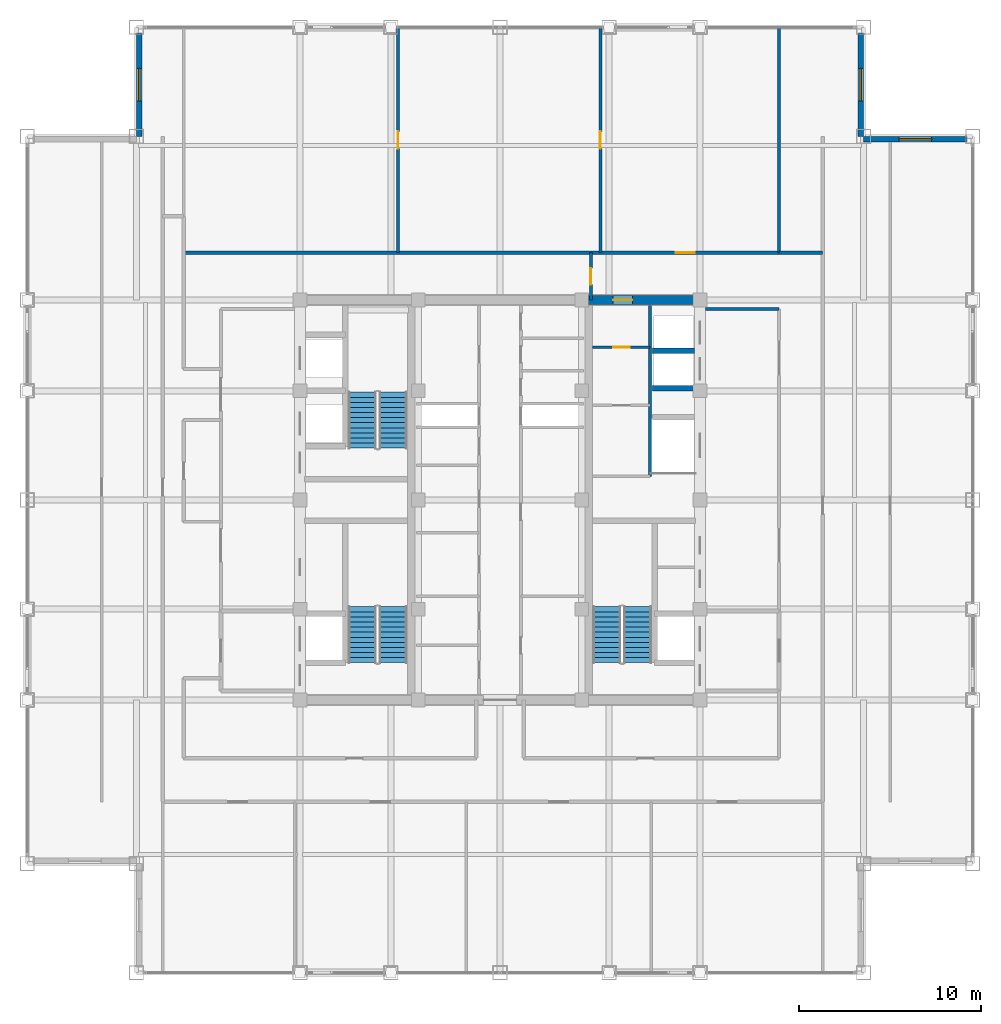
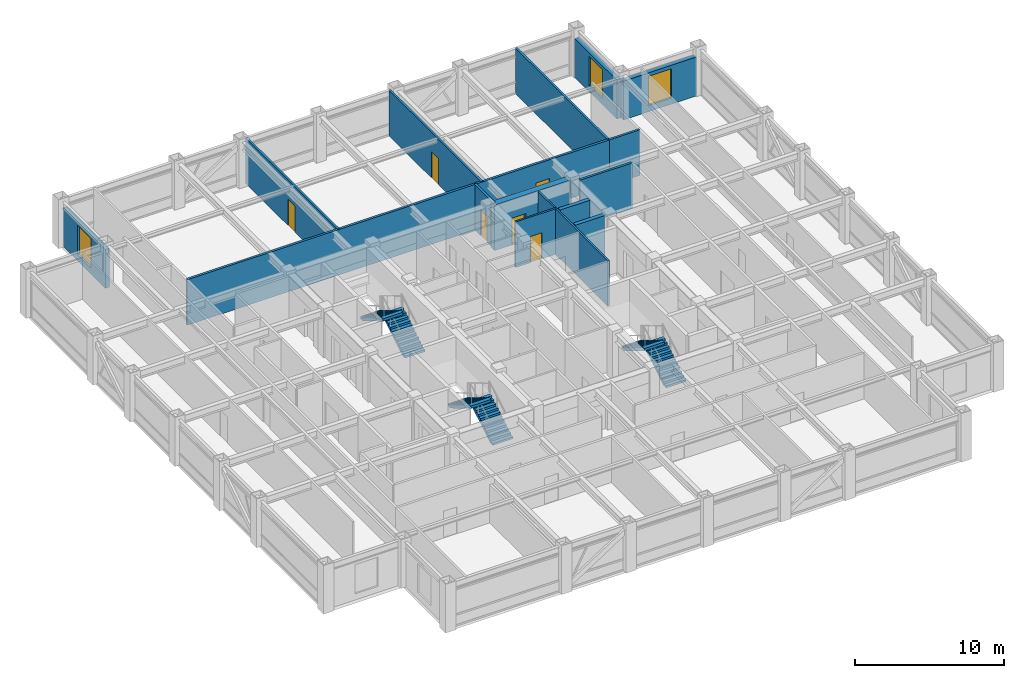
# One storey, part 27 of 28: 15 walls, 6 doors, 6 stair flights, 3 windows, 9 openings, 3 elements without a shape of their own.
"""IFC4 building model written with IfcOpenShell, lengths in metres."""

from ifc_helpers import new_model, si_unit, direction, frame, frame_2d, origin, place, context, subcontext, project, spatial, polyline, rectangle, outline, extrude, source, transform, mapped, material, layer, layer_set, type_object, element, fill, aggregate, save


model = new_model("IFC4")

# Units and contexts
model_context = context("Model", 3, precision=1e-05, world=origin(), true_north=direction((0.0, 1.0)))
body_context = subcontext(model_context, "Body", "Model", "MODEL_VIEW")
ifc_project = project(units=[si_unit("LENGTHUNIT", "METRE"), si_unit("AREAUNIT", "SQUARE_METRE"), si_unit("VOLUMEUNIT", "CUBIC_METRE"), si_unit("PLANEANGLEUNIT", "RADIAN"), si_unit("MASSUNIT", "GRAM", prefix="KILO")], contexts=[model_context])

# Site, building, storey
site_placement = place(None, origin())
site = spatial("IfcSite", under=ifc_project, at=site_placement, CompositionType="ELEMENT")
building_placement = place(site_placement, origin())
building = spatial("IfcBuilding", under=site, at=building_placement, Name="Khorayat Bourse Tower", CompositionType="ELEMENT")
storey_placement = place(building_placement, frame((0.0, 0.0, 338.300048828125)))
storey = spatial("IfcBuildingStorey", under=building, at=storey_placement, Name="L80", CompositionType="ELEMENT", Elevation=338.300048828125)

# Wall, opening, door
ifc_material_1 = material(Name="Concrete C52/65", Category="concrete")
ifc_layer_1 = layer(ifc_material_1, 0.5)
ifc_layer_set_1 = layer_set([ifc_layer_1], Name="Concrete C52/65")
wall_type_1 = type_object("IfcWallType", Name="WAL-CORE-500", PredefinedType="SHEAR", material=ifc_layer_set_1)
shared_shape_1 = source(origin(), body_context, "Body", "SweptSolid", [
    extrude(rectangle(XDim=5.89990234375, YDim=0.5, at=frame_2d((2.949951171875, 0.0))), origin(), (0.0, 0.0, 1.0), 3.739990234375),
])
wall_1_placement = place(storey_placement, frame((4.85009765625, 11.0, 0.0), z_axis=(0.0, 0.0, 1.0), x_axis=(1.0, 0.0, 0.0)))
wall_1 = element("IfcWall", 1, at=wall_1_placement, inside=storey, type_object=wall_type_1, Name="L80 Core Shear Wall PIER-EN", PredefinedType="SHEAR", context=body_context, shape_type="MappedRepresentation", body=[
    mapped(shared_shape_1, transform((0.0, 0.0, 0.0), scale=1.0)),
])
shared_shape_2 = source(origin(), body_context, "Body", "SweptSolid", [
    extrude(rectangle(XDim=1.050048828125, YDim=2.199951171875, at=frame_2d((0.52490234375, 1.10009765625))), frame((0.0, 0.260009765625, 0.0), z_axis=(0.0, -1.0, 0.0), x_axis=(1.0, 0.0, 0.0)), (0.0, 0.0, 1.0), 0.52001953125),
])
opening_1_placement = place(wall_1_placement, frame((1.375, 0.0, 0.0)))
opening_1 = element("IfcOpeningElement", 2, at=opening_1_placement, cuts=wall_1, Name="Opening DI-04", PredefinedType="OPENING", context=body_context, shape_type="MappedRepresentation", body=[
    mapped(shared_shape_2, transform((0.0, 0.0, 0.0), scale=1.0)),
])
ifc_material_2 = material(Name="Fire-rated oak veneer suite entrance door")
door_type_1 = type_object("IfcDoorType", Name="DR-INT-SUITE-1050", OperationType="NOTDEFINED", PredefinedType="DOOR", material=ifc_material_2)
shared_shape_3 = source(origin(), body_context, "Body", "SweptSolid", [
    extrude(rectangle(XDim=1.050048828125, YDim=2.199951171875, at=frame_2d((0.52490234375, 1.10009765625))), frame((0.0, 0.02490234375, 0.0), z_axis=(0.0, -1.0, 0.0), x_axis=(1.0, 0.0, 0.0)), (0.0, 0.0, 1.0), 0.050048828125),
])
door_1_placement = place(opening_1_placement, origin())
door_1 = element("IfcDoor", 3, at=door_1_placement, inside=storey, type_object=door_type_1, Name="L80 Core Washroom Lobby Door", OperationType="SINGLE_SWING_LEFT", OverallHeight=2.199951171875, OverallWidth=1.050048828125, PredefinedType="DOOR", context=body_context, shape_type="MappedRepresentation", body=[
    mapped(shared_shape_3, transform((0.0, 0.0, 0.0), scale=1.0)),
])
fill(opening_1, door_1)

# Wall, opening, window
ifc_material_3 = material(Name="Precast concrete C45/55", Category="concrete")
ifc_layer_2 = layer(ifc_material_3, 0.320068359375)
ifc_layer_set_2 = layer_set([ifc_layer_2], Name="Precast concrete C45/55")
wall_type_2 = type_object("IfcWallType", Name="WAL-EXT-STONE-320", PredefinedType="STANDARD", material=ifc_layer_set_2)
shared_shape_4 = source(origin(), body_context, "Body", "SweptSolid", [
    extrude(rectangle(XDim=5.679931640625, YDim=0.320068359375, at=frame_2d((2.83984375, 0.0))), origin(), (0.0, 0.0, 1.0), 3.19091796875),
])
wall_2_placement = place(storey_placement, frame((20.0, 19.840087890625, 0.0), z_axis=(0.0, 0.0, 1.0), x_axis=(1.0, 0.0, 0.0)))
wall_2 = element("IfcWall", 4, at=wall_2_placement, inside=storey, type_object=wall_type_2, Name="L80 Re-Entrant Notch Limestone Wall NE-H", PredefinedType="STANDARD", context=body_context, shape_type="MappedRepresentation", body=[
    mapped(shared_shape_4, transform((0.0, 0.0, 0.0), scale=1.0)),
])
shared_shape_5 = source(origin(), body_context, "Body", "SweptSolid", [
    extrude(rectangle(XDim=1.800048828125, YDim=2.39990234375, at=frame_2d((0.89990234375, 1.199951171875))), frame((0.0, 0.169921875, 0.0), z_axis=(0.0, -1.0, 0.0), x_axis=(1.0, 0.0, 0.0)), (0.0, 0.0, 1.0), 0.340087890625),
])
opening_2_placement = place(wall_2_placement, frame((1.93994140625, 0.0, 0.5)))
opening_2 = element("IfcOpeningElement", 5, at=opening_2_placement, cuts=wall_2, Name="Opening WN-04", PredefinedType="OPENING", context=body_context, shape_type="MappedRepresentation", body=[
    mapped(shared_shape_5, transform((0.0, 0.0, 0.0), scale=1.0)),
])
ifc_material_4 = material(Name="Low-E acoustic laminated double glazing", Category="glass")
window_type = type_object("IfcWindowType", Name="WIN-NOTCH-1800x2400", PartitioningType="SINGLE_PANEL", PredefinedType="WINDOW", material=ifc_material_4)
shared_shape_6 = source(origin(), body_context, "Body", "SweptSolid", [
    extrude(rectangle(XDim=1.800048828125, YDim=2.39990234375, at=frame_2d((0.89990234375, 1.199951171875))), frame((0.0, 0.030029296875, 0.0), z_axis=(0.0, -1.0, 0.0), x_axis=(1.0, 0.0, 0.0)), (0.0, 0.0, 1.0), 0.06005859375),
])
window_1_placement = place(opening_2_placement, origin())
window_1 = element("IfcWindow", 6, at=window_1_placement, inside=storey, type_object=window_type, Name="L80 Facade Window 1", OverallHeight=2.39990234375, OverallWidth=1.800048828125, PartitioningType="SINGLE_PANEL", PredefinedType="WINDOW", context=body_context, shape_type="MappedRepresentation", body=[
    mapped(shared_shape_6, transform((0.0, 0.0, 0.0), scale=1.0)),
])
fill(opening_2, window_1)

wall_3_placement = place(storey_placement, frame((19.840087890625, 20.0, 0.0), z_axis=(0.0, 0.0, 1.0), x_axis=(0.0, 1.0, 0.0)))
wall_3 = element("IfcWall", 7, at=wall_3_placement, inside=storey, type_object=wall_type_2, Name="L80 Re-Entrant Notch Limestone Wall NE-V", PredefinedType="STANDARD", context=body_context, shape_type="MappedRepresentation", body=[
    mapped(shared_shape_4, transform((0.0, 0.0, 0.0), scale=1.0)),
])
opening_3_placement = place(wall_3_placement, frame((1.93994140625, 0.0, 0.5)))
opening_3 = element("IfcOpeningElement", 8, at=opening_3_placement, cuts=wall_3, Name="Opening WN-04", PredefinedType="OPENING", context=body_context, shape_type="MappedRepresentation", body=[
    mapped(shared_shape_5, transform((0.0, 0.0, 0.0), scale=1.0)),
])
window_2_placement = place(opening_3_placement, origin())
window_2 = element("IfcWindow", 9, at=window_2_placement, inside=storey, type_object=window_type, Name="L80 Facade Window 1", OverallHeight=2.39990234375, OverallWidth=1.800048828125, PartitioningType="SINGLE_PANEL", PredefinedType="WINDOW", context=body_context, shape_type="MappedRepresentation", body=[
    mapped(shared_shape_6, transform((0.0, 0.0, 0.0), scale=1.0)),
])
fill(opening_3, window_2)

wall_4_placement = place(storey_placement, frame((-19.840087890625, 20.0, 0.0), z_axis=(0.0, 0.0, 1.0), x_axis=(0.0, 1.0, 0.0)))
wall_4 = element("IfcWall", 10, at=wall_4_placement, inside=storey, type_object=wall_type_2, Name="L80 Re-Entrant Notch Limestone Wall NW-V", PredefinedType="STANDARD", context=body_context, shape_type="MappedRepresentation", body=[
    mapped(shared_shape_4, transform((0.0, 0.0, 0.0), scale=1.0)),
])
opening_4_placement = place(wall_4_placement, frame((1.93994140625, 0.0, 0.5)))
opening_4 = element("IfcOpeningElement", 11, at=opening_4_placement, cuts=wall_4, Name="Opening WN-04", PredefinedType="OPENING", context=body_context, shape_type="MappedRepresentation", body=[
    mapped(shared_shape_5, transform((0.0, 0.0, 0.0), scale=1.0)),
])
window_3_placement = place(opening_4_placement, origin())
window_3 = element("IfcWindow", 12, at=window_3_placement, inside=storey, type_object=window_type, Name="L80 Facade Window 1", OverallHeight=2.39990234375, OverallWidth=1.800048828125, PartitioningType="SINGLE_PANEL", PredefinedType="WINDOW", context=body_context, shape_type="MappedRepresentation", body=[
    mapped(shared_shape_6, transform((0.0, 0.0, 0.0), scale=1.0)),
])
fill(opening_4, window_3)

# Walls
ifc_material_5 = material(Name="Concrete C50/60", Category="concrete")
ifc_layer_3 = layer(ifc_material_5, 0.300048828125)
ifc_layer_set_3 = layer_set([ifc_layer_3], Name="Concrete C50/60")
wall_type_3 = type_object("IfcWallType", Name="WAL-SHAFT-300", PredefinedType="SHEAR", material=ifc_layer_set_3)
shared_shape_7 = source(origin(), body_context, "Body", "SweptSolid", [
    extrude(rectangle(XDim=2.300048828125, YDim=0.300048828125, at=frame_2d((1.14990234375, 0.0))), origin(), (0.0, 0.0, 1.0), 3.739990234375),
])
for number, where, z_axis, x_axis, name in (
    (13, (8.39990234375, 6.14990234375, 0.0), (0.0, 0.0, 1.0), (1.0, 0.0, 0.0), "L80 Partition WAL-L80-EPIER-H3S"),
    (14, (8.39990234375, 8.199951171875, 0.0), (0.0, 0.0, 1.0), (1.0, 0.0, 0.0), "L80 Partition WAL-L80-EPIER-H34"),
):
    element("IfcWall", number, at=place(storey_placement, frame(where, z_axis=z_axis, x_axis=x_axis)), inside=storey, type_object=wall_type_3, Name=name, PredefinedType="SHEAR", context=body_context, shape_type="MappedRepresentation", body=[
        mapped(shared_shape_7, transform((0.0, 0.0, 0.0), scale=1.0)),
    ])
ifc_material_6 = material(Name="Moisture-resistant masonry partition", Category="masonry")
ifc_layer_4 = layer(ifc_material_6, 0.139892578125)
ifc_layer_set_4 = layer_set([ifc_layer_4], Name="Moisture-resistant masonry partition")
wall_type_4 = type_object("IfcWallType", Name="WAL-PART-WET-140", PredefinedType="PARTITIONING", material=ifc_layer_set_4)
shared_shape_8 = source(origin(), body_context, "Body", "SweptSolid", [
    extrude(rectangle(XDim=9.39990234375, YDim=0.139892578125, at=frame_2d((4.699951171875, 0.0))), origin(), (0.0, 0.0, 1.0), 3.739990234375),
])
wall_5_placement = place(storey_placement, frame((8.25, 1.300048828125, 0.0), z_axis=(0.0, 0.0, 1.0), x_axis=(0.0, 1.0, 0.0)))
element("IfcWall", 15, at=wall_5_placement, inside=storey, type_object=wall_type_4, Name="L80 Partition WAL-L80-ECORE-E", PredefinedType="PARTITIONING", context=body_context, shape_type="MappedRepresentation", body=[
    mapped(shared_shape_8, transform((0.0, 0.0, 0.0), scale=1.0)),
])

# Wall, opening, door
shared_shape_9 = source(origin(), body_context, "Body", "SweptSolid", [
    extrude(rectangle(XDim=3.14990234375, YDim=0.139892578125, at=frame_2d((1.574951171875, 0.0))), origin(), (0.0, 0.0, 1.0), 3.739990234375),
])
wall_6_placement = place(storey_placement, frame((5.10009765625, 8.39990234375, 0.0), z_axis=(0.0, 0.0, 1.0), x_axis=(1.0, 0.0, 0.0)))
wall_6 = element("IfcWall", 16, at=wall_6_placement, inside=storey, type_object=wall_type_4, Name="L80 Partition WAL-L80-ECW-TOP", PredefinedType="PARTITIONING", context=body_context, shape_type="MappedRepresentation", body=[
    mapped(shared_shape_9, transform((0.0, 0.0, 0.0), scale=1.0)),
])
shared_shape_10 = source(origin(), body_context, "Body", "SweptSolid", [
    extrude(rectangle(XDim=0.89990234375, YDim=2.14990234375, at=frame_2d((0.449951171875, 1.074951171875))), frame((0.0, 0.079833984375, 0.0), z_axis=(0.0, -1.0, 0.0), x_axis=(1.0, 0.0, 0.0)), (0.0, 0.0, 1.0), 0.159912109375),
])
opening_5_placement = place(wall_6_placement, frame((1.1298828125, 0.0, 0.0)))
opening_5 = element("IfcOpeningElement", 17, at=opening_5_placement, cuts=wall_6, Name="Opening DI-06", PredefinedType="OPENING", context=body_context, shape_type="MappedRepresentation", body=[
    mapped(shared_shape_10, transform((0.0, 0.0, 0.0), scale=1.0)),
])
ifc_material_7 = material(Name="Moisture-resistant laminate washroom door")
door_type_2 = type_object("IfcDoorType", Name="DR-INT-WC-900", OperationType="NOTDEFINED", PredefinedType="DOOR", material=ifc_material_7)
shared_shape_11 = source(origin(), body_context, "Body", "SweptSolid", [
    extrude(rectangle(XDim=0.89990234375, YDim=2.14990234375, at=frame_2d((0.449951171875, 1.074951171875))), frame((0.0, 0.02490234375, 0.0), z_axis=(0.0, -1.0, 0.0), x_axis=(1.0, 0.0, 0.0)), (0.0, 0.0, 1.0), 0.050048828125),
])
door_2_placement = place(opening_5_placement, origin())
door_2 = element("IfcDoor", 18, at=door_2_placement, inside=storey, type_object=door_type_2, Name="L80 Accessible WC Door", OperationType="SINGLE_SWING_LEFT", OverallHeight=2.14990234375, OverallWidth=0.89990234375, PredefinedType="DOOR", context=body_context, shape_type="MappedRepresentation", body=[
    mapped(shared_shape_11, transform((0.0, 0.0, 0.0), scale=1.0)),
])
fill(opening_5, door_2)

# Wall
ifc_material_8 = material(Name="Gypsum plasterboard acoustic stud wall")
ifc_layer_5 = layer(ifc_material_8, 0.179931640625)
ifc_layer_set_5 = layer_set([ifc_layer_5], Name="Gypsum plasterboard acoustic stud wall")
wall_type_5 = type_object("IfcWallType", Name="WAL-PART-CORR-180", PredefinedType="PARTITIONING", material=ifc_layer_set_5)
shared_shape_12 = source(origin(), body_context, "Body", "SweptSolid", [
    extrude(rectangle(XDim=4.050048828125, YDim=0.179931640625, at=frame_2d((2.02490234375, 0.0))), origin(), (0.0, 0.0, 1.0), 3.739990234375),
])
wall_7_placement = place(storey_placement, frame((11.300048828125, 10.5, 0.0), z_axis=(0.0, 0.0, 1.0), x_axis=(1.0, 0.0, 0.0)))
element("IfcWall", 19, at=wall_7_placement, inside=storey, type_object=wall_type_5, Name="L80 Partition WAL-L80-ELOB-N", PredefinedType="PARTITIONING", context=body_context, shape_type="MappedRepresentation", body=[
    mapped(shared_shape_12, transform((0.0, 0.0, 0.0), scale=1.0)),
])

# Wall, opening, door
shared_shape_13 = source(origin(), body_context, "Body", "SweptSolid", [
    extrude(rectangle(XDim=2.60009765625, YDim=0.179931640625, at=frame_2d((1.300048828125, 0.0))), origin(), (0.0, 0.0, 1.0), 3.739990234375),
])
wall_8_placement = place(storey_placement, frame((5.0, 11.0, 0.0), z_axis=(0.0, 0.0, 1.0), x_axis=(0.0, 1.0, 0.0)))
wall_8 = element("IfcWall", 20, at=wall_8_placement, inside=storey, type_object=wall_type_5, Name="L80 Partition WAL-L80-CORRNE-W", PredefinedType="PARTITIONING", context=body_context, shape_type="MappedRepresentation", body=[
    mapped(shared_shape_13, transform((0.0, 0.0, 0.0), scale=1.0)),
])
shared_shape_14 = source(origin(), body_context, "Body", "SweptSolid", [
    extrude(rectangle(XDim=0.89990234375, YDim=2.14990234375, at=frame_2d((0.449951171875, 1.074951171875))), frame((0.0, 0.099853515625, 0.0), z_axis=(0.0, -1.0, 0.0), x_axis=(1.0, 0.0, 0.0)), (0.0, 0.0, 1.0), 0.199951171875),
])
opening_6_placement = place(wall_8_placement, frame((0.85009765625, 0.0, 0.0)))
opening_6 = element("IfcOpeningElement", 21, at=opening_6_placement, cuts=wall_8, Name="Opening DI-06", PredefinedType="OPENING", context=body_context, shape_type="MappedRepresentation", body=[
    mapped(shared_shape_14, transform((0.0, 0.0, 0.0), scale=1.0)),
])
door_3_placement = place(opening_6_placement, origin())
door_3 = element("IfcDoor", 22, at=door_3_placement, inside=storey, type_object=door_type_2, Name="L80 North Core Pantry Door", OperationType="SINGLE_SWING_LEFT", OverallHeight=2.14990234375, OverallWidth=0.89990234375, PredefinedType="DOOR", context=body_context, shape_type="MappedRepresentation", body=[
    mapped(shared_shape_11, transform((0.0, 0.0, 0.0), scale=1.0)),
])
fill(opening_6, door_3)

# Wall
shared_shape_15 = source(origin(), body_context, "Body", "SweptSolid", [
    extrude(rectangle(XDim=2.39990234375, YDim=0.179931640625, at=frame_2d((1.199951171875, 0.0))), origin(), (0.0, 0.0, 1.0), 3.739990234375),
])
wall_9_placement = place(storey_placement, frame((15.35009765625, 13.60009765625, 0.0), z_axis=(0.0, 0.0, 1.0), x_axis=(1.0, 0.0, 0.0)))
element("IfcWall", 23, at=wall_9_placement, inside=storey, type_object=wall_type_5, Name="L80 Partition WAL-L80-GALE-N", PredefinedType="PARTITIONING", context=body_context, shape_type="MappedRepresentation", body=[
    mapped(shared_shape_15, transform((0.0, 0.0, 0.0), scale=1.0)),
])

# Wall, opening, door
ifc_material_9 = material(Name="Gypsum plasterboard twin-frame partition")
ifc_layer_6 = layer(ifc_material_9, 0.14990234375)
ifc_layer_set_6 = layer_set([ifc_layer_6], Name="Gypsum plasterboard twin-frame partition")
wall_type_6 = type_object("IfcWallType", Name="WAL-PART-SUITE-150", PredefinedType="PARTITIONING", material=ifc_layer_set_6)
shared_shape_16 = source(origin(), body_context, "Body", "SweptSolid", [
    extrude(rectangle(XDim=12.39990234375, YDim=0.14990234375, at=frame_2d((6.199951171875, 0.0))), origin(), (0.0, 0.0, 1.0), 3.739990234375),
])
wall_10_placement = place(storey_placement, frame((-5.610107421875, 13.60009765625, 0.0), z_axis=(0.0, 0.0, 1.0), x_axis=(0.0, 1.0, 0.0)))
wall_10 = element("IfcWall", 24, at=wall_10_placement, inside=storey, type_object=wall_type_6, Name="L80 Partition WAL-L80-NDV-1", PredefinedType="PARTITIONING", context=body_context, shape_type="MappedRepresentation", body=[
    mapped(shared_shape_16, transform((0.0, 0.0, 0.0), scale=1.0)),
])
shared_shape_17 = source(origin(), body_context, "Body", "SweptSolid", [
    extrude(rectangle(XDim=0.949951171875, YDim=2.14990234375, at=frame_2d((0.47509765625, 1.074951171875))), frame((0.0, 0.0849609375, 0.0), z_axis=(0.0, -1.0, 0.0), x_axis=(1.0, 0.0, 0.0)), (0.0, 0.0, 1.0), 0.169921875),
])
opening_7_placement = place(wall_10_placement, frame((5.72509765625, 0.0, 0.0)))
opening_7 = element("IfcOpeningElement", 25, at=opening_7_placement, cuts=wall_10, Name="Opening DI-05", PredefinedType="OPENING", context=body_context, shape_type="MappedRepresentation", body=[
    mapped(shared_shape_17, transform((0.0, 0.0, 0.0), scale=1.0)),
])
ifc_material_10 = material(Name="Acoustic oak veneer office door")
door_type_3 = type_object("IfcDoorType", Name="DR-INT-OFFICE-950", OperationType="NOTDEFINED", PredefinedType="DOOR", material=ifc_material_10)
shared_shape_18 = source(origin(), body_context, "Body", "SweptSolid", [
    extrude(rectangle(XDim=0.949951171875, YDim=2.14990234375, at=frame_2d((0.47509765625, 1.074951171875))), frame((0.0, 0.02490234375, 0.0), z_axis=(0.0, -1.0, 0.0), x_axis=(1.0, 0.0, 0.0)), (0.0, 0.0, 1.0), 0.050048828125),
])
door_4_placement = place(opening_7_placement, origin())
door_4 = element("IfcDoor", 26, at=door_4_placement, inside=storey, type_object=door_type_3, Name="L80 N Suite Link 1", OperationType="SINGLE_SWING_RIGHT", OverallHeight=2.14990234375, OverallWidth=0.949951171875, PredefinedType="DOOR", context=body_context, shape_type="MappedRepresentation", body=[
    mapped(shared_shape_18, transform((0.0, 0.0, 0.0), scale=1.0)),
])
fill(opening_7, door_4)

wall_11_placement = place(storey_placement, frame((5.52490234375, 13.60009765625, 0.0), z_axis=(0.0, 0.0, 1.0), x_axis=(0.0, 1.0, 0.0)))
wall_11 = element("IfcWall", 27, at=wall_11_placement, inside=storey, type_object=wall_type_6, Name="L80 Partition WAL-L80-NDV-2", PredefinedType="PARTITIONING", context=body_context, shape_type="MappedRepresentation", body=[
    mapped(shared_shape_16, transform((0.0, 0.0, 0.0), scale=1.0)),
])
opening_8_placement = place(wall_11_placement, frame((5.72509765625, 0.0, 0.0)))
opening_8 = element("IfcOpeningElement", 28, at=opening_8_placement, cuts=wall_11, Name="Opening DI-05", PredefinedType="OPENING", context=body_context, shape_type="MappedRepresentation", body=[
    mapped(shared_shape_17, transform((0.0, 0.0, 0.0), scale=1.0)),
])
door_5_placement = place(opening_8_placement, origin())
door_5 = element("IfcDoor", 29, at=door_5_placement, inside=storey, type_object=door_type_3, Name="L80 N Suite Link 2", OperationType="SINGLE_SWING_LEFT", OverallHeight=2.14990234375, OverallWidth=0.949951171875, PredefinedType="DOOR", context=body_context, shape_type="MappedRepresentation", body=[
    mapped(shared_shape_18, transform((0.0, 0.0, 0.0), scale=1.0)),
])
fill(opening_8, door_5)

# Wall
wall_12_placement = place(storey_placement, frame((15.35009765625, 13.60009765625, 0.0), z_axis=(0.0, 0.0, 1.0), x_axis=(0.0, 1.0, 0.0)))
element("IfcWall", 30, at=wall_12_placement, inside=storey, type_object=wall_type_6, Name="L80 Partition WAL-L80-NCE-END", PredefinedType="PARTITIONING", context=body_context, shape_type="MappedRepresentation", body=[
    mapped(shared_shape_16, transform((0.0, 0.0, 0.0), scale=1.0)),
])

# Wall, opening, door
shared_shape_19 = source(origin(), body_context, "Body", "SweptSolid", [
    extrude(rectangle(XDim=32.75, YDim=0.179931640625, at=frame_2d((16.375, 0.0))), origin(), (0.0, 0.0, 1.0), 3.739990234375),
])
wall_13_placement = place(storey_placement, frame((-17.39990234375, 13.60009765625, 0.0), z_axis=(0.0, 0.0, 1.0), x_axis=(1.0, 0.0, 0.0)))
wall_13 = element("IfcWall", 31, at=wall_13_placement, inside=storey, type_object=wall_type_5, Name="L80 Partition WAL-L80-NCORR", PredefinedType="PARTITIONING", context=body_context, shape_type="MappedRepresentation", body=[
    mapped(shared_shape_19, transform((0.0, 0.0, 0.0), scale=1.0)),
])
shared_shape_20 = source(origin(), body_context, "Body", "SweptSolid", [
    extrude(rectangle(XDim=1.050048828125, YDim=2.199951171875, at=frame_2d((0.52490234375, 1.10009765625))), frame((0.0, 0.099853515625, 0.0), z_axis=(0.0, -1.0, 0.0), x_axis=(1.0, 0.0, 0.0)), (0.0, 0.0, 1.0), 0.199951171875),
])
opening_9_placement = place(wall_13_placement, frame((27.074951171875, 0.0, 0.0)))
opening_9 = element("IfcOpeningElement", 32, at=opening_9_placement, cuts=wall_13, Name="Opening DI-04", PredefinedType="OPENING", context=body_context, shape_type="MappedRepresentation", body=[
    mapped(shared_shape_20, transform((0.0, 0.0, 0.0), scale=1.0)),
])
door_6_placement = place(opening_9_placement, origin())
door_6 = element("IfcDoor", 33, at=door_6_placement, inside=storey, type_object=door_type_1, Name="L80 Staff Tea Pantry N3 Door", OperationType="SINGLE_SWING_RIGHT", OverallHeight=2.199951171875, OverallWidth=1.050048828125, PredefinedType="DOOR", context=body_context, shape_type="MappedRepresentation", body=[
    mapped(shared_shape_3, transform((0.0, 0.0, 0.0), scale=1.0)),
])
fill(opening_9, door_6)

# Stair, stair flights
ifc_material_11 = material(Name="Concrete C40/50", Category="concrete")
stair_type = type_object("IfcStairType", Name="STR-CORE-1550", PredefinedType="HALF_TURN_STAIR", material=ifc_material_11)
stair_1_placement = place(storey_placement, origin())
stair_1 = element("IfcStair", 34, at=stair_1_placement, inside=storey, type_object=stair_type, Name="L80 Exit Stair ST-1", PredefinedType="HALF_TURN_STAIR")
stair_flight_type = type_object("IfcStairFlightType", Name="FLT-CORE-1550", PredefinedType="STRAIGHT", material=ifc_material_11)
shared_shape_21 = source(origin(), body_context, "Body", "SweptSolid", [
    extrude(outline(polyline([(0.0, 0.0), (0.0, 0.166748046875), (0.280029296875, 0.166748046875), (0.280029296875, 0.333251953125), (0.56005859375, 0.333251953125), (0.56005859375, 0.5), (0.840087890625, 0.5), (0.840087890625, 0.666748046875), (1.1201171875, 0.666748046875), (1.1201171875, 0.833251953125), (1.39990234375, 0.833251953125), (1.39990234375, 1.0), (1.679931640625, 1.0), (1.679931640625, 1.166748046875), (1.9599609375, 1.166748046875), (1.9599609375, 1.333251953125), (2.239990234375, 1.333251953125), (2.239990234375, 1.5), (2.52001953125, 1.5), (2.52001953125, 1.666748046875), (2.800048828125, 1.666748046875), (2.800048828125, 1.833251953125), (3.080078125, 1.833251953125), (3.080078125, 2.0), (3.080078125, 1.6240234375), (0.351806640625, 0.0), (0.0, 0.0)])), frame((0.0, 0.77490234375, 0.0), z_axis=(0.0, -1.0, 0.0), x_axis=(1.0, 0.0, 0.0)), (0.0, 0.0, 1.0), 1.550048828125),
])
stair_flight_1_placement = place(storey_placement, frame((-5.875, -8.949951171875, 0.0), z_axis=(0.0, 0.0, 1.0), x_axis=(0.0, 1.0, 0.0)))
stair_flight_1 = element("IfcStairFlight", 35, at=stair_flight_1_placement, type_object=stair_flight_type, Name="ST-1 flight 1", NumberOfRisers=12, NumberOfTreads=11, PredefinedType="STRAIGHT", RiserHeight=0.166666667, TreadLength=0.28, context=body_context, shape_type="MappedRepresentation", body=[
    mapped(shared_shape_21, transform((0.0, 0.0, 0.0), scale=1.0)),
])
stair_flight_2_placement = place(storey_placement, frame((-7.574951171875, -5.8701171875, 2.0), z_axis=(0.0, 0.0, 1.0), x_axis=(0.0, -1.0, 0.0)))
stair_flight_2 = element("IfcStairFlight", 36, at=stair_flight_2_placement, type_object=stair_flight_type, Name="ST-1 flight 2", NumberOfRisers=12, NumberOfTreads=11, PredefinedType="STRAIGHT", RiserHeight=0.166666667, TreadLength=0.28, context=body_context, shape_type="MappedRepresentation", body=[
    mapped(shared_shape_21, transform((0.0, 0.0, 0.0), scale=1.0)),
])
aggregate(stair_1, [stair_flight_1, stair_flight_2])

stair_2_placement = place(storey_placement, origin())
stair_2 = element("IfcStair", 37, at=stair_2_placement, inside=storey, type_object=stair_type, Name="L80 Exit Stair ST-2", PredefinedType="HALF_TURN_STAIR")
stair_flight_3_placement = place(storey_placement, frame((-5.875, 2.85009765625, 0.0), z_axis=(0.0, 0.0, 1.0), x_axis=(0.0, 1.0, 0.0)))
stair_flight_3 = element("IfcStairFlight", 38, at=stair_flight_3_placement, type_object=stair_flight_type, Name="ST-2 flight 1", NumberOfRisers=12, NumberOfTreads=11, PredefinedType="STRAIGHT", RiserHeight=0.166666667, TreadLength=0.28, context=body_context, shape_type="MappedRepresentation", body=[
    mapped(shared_shape_21, transform((0.0, 0.0, 0.0), scale=1.0)),
])
stair_flight_4_placement = place(storey_placement, frame((-7.574951171875, 5.929931640625, 2.0), z_axis=(0.0, 0.0, 1.0), x_axis=(0.0, -1.0, 0.0)))
stair_flight_4 = element("IfcStairFlight", 39, at=stair_flight_4_placement, type_object=stair_flight_type, Name="ST-2 flight 2", NumberOfRisers=12, NumberOfTreads=11, PredefinedType="STRAIGHT", RiserHeight=0.166666667, TreadLength=0.28, context=body_context, shape_type="MappedRepresentation", body=[
    mapped(shared_shape_21, transform((0.0, 0.0, 0.0), scale=1.0)),
])
aggregate(stair_2, [stair_flight_3, stair_flight_4])

stair_3_placement = place(storey_placement, origin())
stair_3 = element("IfcStair", 40, at=stair_3_placement, inside=storey, type_object=stair_type, Name="L80 Exit Stair ST-3", PredefinedType="HALF_TURN_STAIR")
stair_flight_5_placement = place(storey_placement, frame((7.574951171875, -8.949951171875, 0.0), z_axis=(0.0, 0.0, 1.0), x_axis=(0.0, 1.0, 0.0)))
stair_flight_5 = element("IfcStairFlight", 41, at=stair_flight_5_placement, type_object=stair_flight_type, Name="ST-3 flight 1", NumberOfRisers=12, NumberOfTreads=11, PredefinedType="STRAIGHT", RiserHeight=0.166666667, TreadLength=0.28, context=body_context, shape_type="MappedRepresentation", body=[
    mapped(shared_shape_21, transform((0.0, 0.0, 0.0), scale=1.0)),
])
stair_flight_6_placement = place(storey_placement, frame((5.875, -5.8701171875, 2.0), z_axis=(0.0, 0.0, 1.0), x_axis=(0.0, -1.0, 0.0)))
stair_flight_6 = element("IfcStairFlight", 42, at=stair_flight_6_placement, type_object=stair_flight_type, Name="ST-3 flight 2", NumberOfRisers=12, NumberOfTreads=11, PredefinedType="STRAIGHT", RiserHeight=0.166666667, TreadLength=0.28, context=body_context, shape_type="MappedRepresentation", body=[
    mapped(shared_shape_21, transform((0.0, 0.0, 0.0), scale=1.0)),
])
aggregate(stair_3, [stair_flight_5, stair_flight_6])

save(model, "model.ifc")
